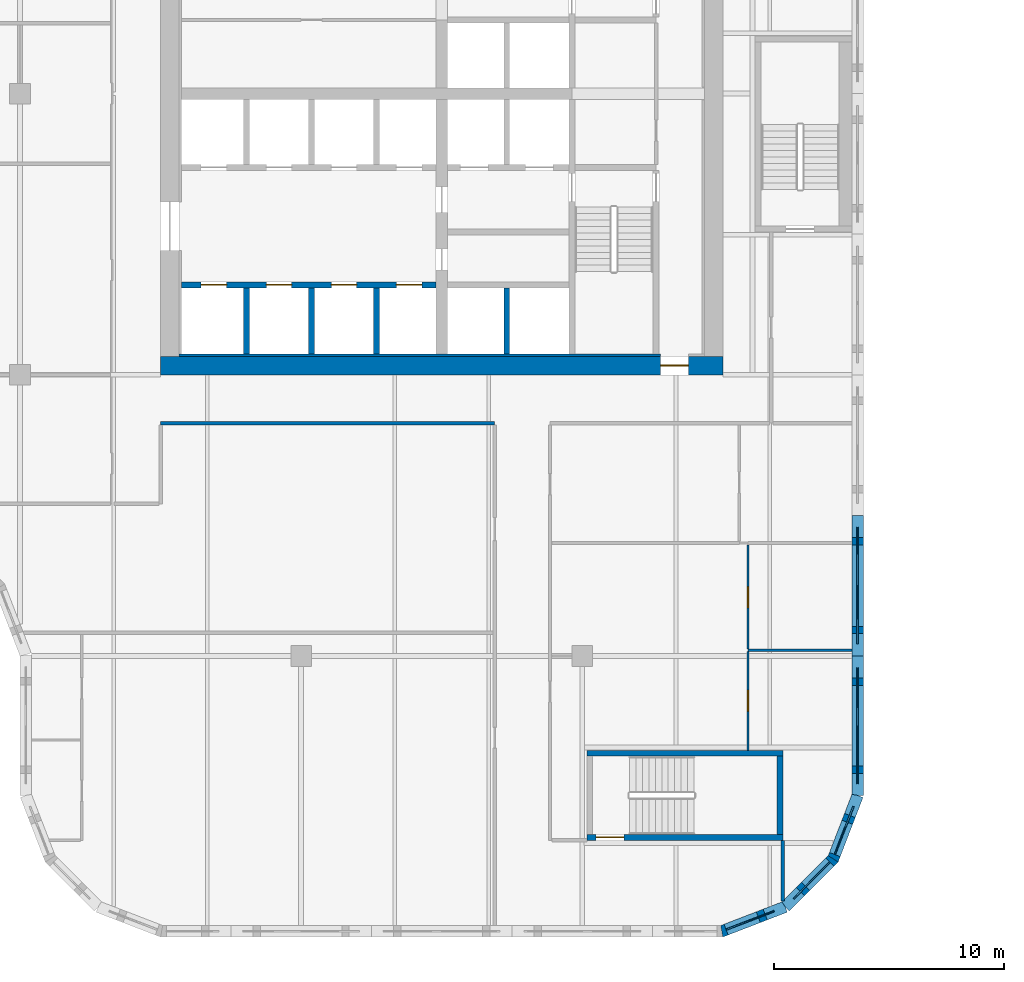
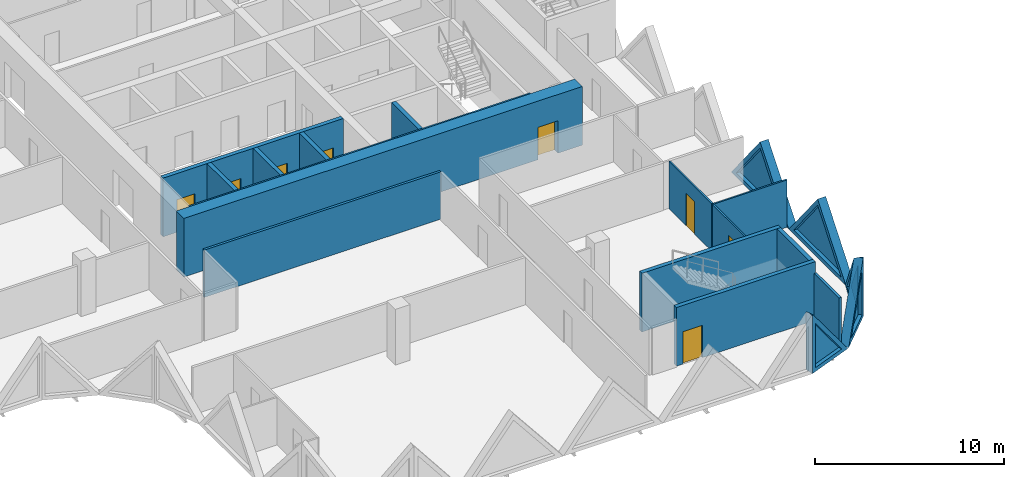
# One storey, part 6 of 19: 20 walls, 8 doors, 5 plates, 13 openings.
"""IFC4 building model written with IfcOpenShell, lengths in metres."""

from ifc_helpers import new_model, si_unit, direction, frame, frame_2d, origin, place, context, subcontext, project, spatial, polyline, rectangle, outline, extrude, faceted_brep, source, transform, mapped, material, layer, layer_set, type_object, element, fill, save


model = new_model("IFC4")

# Units and contexts
model_context = context("Model", 3, precision=1e-05, world=origin(), true_north=direction((0.0, 1.0)))
body_context = subcontext(model_context, "Body", "Model", "MODEL_VIEW")
ifc_project = project(units=[si_unit("LENGTHUNIT", "METRE"), si_unit("AREAUNIT", "SQUARE_METRE"), si_unit("VOLUMEUNIT", "CUBIC_METRE"), si_unit("PLANEANGLEUNIT", "RADIAN"), si_unit("MASSUNIT", "GRAM", prefix="KILO")], contexts=[model_context])

# Site, building, storey
site_placement = place(None, origin())
site = spatial("IfcSite", under=ifc_project, at=site_placement, CompositionType="ELEMENT")
building_placement = place(site_placement, origin())
building = spatial("IfcBuilding", under=site, at=building_placement, Name="Tessera Gate Towers", CompositionType="ELEMENT")
storey_placement = place(building_placement, frame((0.0, 0.0, 68.60009765625)))
storey = spatial("IfcBuildingStorey", under=building, at=storey_placement, Name="L16", CompositionType="ELEMENT", Elevation=68.60009765625)

# Wall, openings, doors
ifc_material_1 = material(Name="Concrete C40/50", Category="concrete")
ifc_layer_1 = layer(ifc_material_1, 0.25)
ifc_layer_set_1 = layer_set([ifc_layer_1], Name="CORE ENCLOSURE WALL 250")
wall_type_1 = type_object("IfcWallType", Name="CORE ENCLOSURE WALL 250", PredefinedType="SOLIDWALL", material=ifc_layer_set_1)
wall_1_placement = place(storey_placement, frame((31.39990234375, 28.300048828125, 0.0), z_axis=(0.0, 0.0, 1.0), x_axis=(1.0, 0.0, 0.0)))
wall_1 = element("IfcWall", 1, at=wall_1_placement, inside=storey, type_object=wall_type_1, Name="L16 shaft and stair enclosure wall", PredefinedType="SOLIDWALL", context=body_context, shape_type="SweptSolid", body=[
    extrude(rectangle(XDim=11.050048828125, YDim=0.25, at=frame_2d((5.52490234375, 0.0))), origin(), (0.0, 0.0, 1.0), 3.7998046875),
])
shared_shape_1 = source(origin(), body_context, "Body", "SweptSolid", [
    extrude(rectangle(XDim=1.10009765625, YDim=2.10009765625, at=frame_2d((0.550048828125, 1.050048828125))), frame((0.0, 0.135009765625, 0.0), z_axis=(0.0, -1.0, 0.0), x_axis=(1.0, 0.0, 0.0)), (0.0, 0.0, 1.0), 0.27001953125),
])
opening_1_placement = place(wall_1_placement, frame((0.862548828125, 0.0, 0.0)))
opening_1 = element("IfcOpeningElement", 2, at=opening_1_placement, cuts=wall_1, Name="Opening LD-LR1", PredefinedType="OPENING", context=body_context, shape_type="MappedRepresentation", body=[
    mapped(shared_shape_1, transform((0.0, 0.0, 0.0), scale=1.0)),
])
opening_2_placement = place(wall_1_placement, frame((3.6875, 0.0, 0.0)))
opening_2 = element("IfcOpeningElement", 3, at=opening_2_placement, cuts=wall_1, Name="Opening LD-LR2", PredefinedType="OPENING", context=body_context, shape_type="MappedRepresentation", body=[
    mapped(shared_shape_1, transform((0.0, 0.0, 0.0), scale=1.0)),
])
opening_3_placement = place(wall_1_placement, frame((6.512451171875, 0.0, 0.0)))
opening_3 = element("IfcOpeningElement", 4, at=opening_3_placement, cuts=wall_1, Name="Opening LD-LR3", PredefinedType="OPENING", context=body_context, shape_type="MappedRepresentation", body=[
    mapped(shared_shape_1, transform((0.0, 0.0, 0.0), scale=1.0)),
])
opening_4_placement = place(wall_1_placement, frame((9.33740234375, 0.0, 0.0)))
opening_4 = element("IfcOpeningElement", 5, at=opening_4_placement, cuts=wall_1, Name="Opening LD-LR4", PredefinedType="OPENING", context=body_context, shape_type="MappedRepresentation", body=[
    mapped(shared_shape_1, transform((0.0, 0.0, 0.0), scale=1.0)),
])
ifc_material_2 = material(Name="Stainless steel", Category="steel")
door_type_1 = type_object("IfcDoorType", Name="CORE DOOR LD 1100x2100", OperationType="DOUBLE_DOOR_SLIDING", PredefinedType="DOOR", material=ifc_material_2)
shared_shape_2 = source(origin(), body_context, "Body", "SweptSolid", [
    extrude(rectangle(XDim=1.10009765625, YDim=2.10009765625, at=frame_2d((0.550048828125, 1.050048828125))), frame((0.0, 0.02490234375, 0.0), z_axis=(0.0, -1.0, 0.0), x_axis=(1.0, 0.0, 0.0)), (0.0, 0.0, 1.0), 0.050048828125),
])
door_1_placement = place(opening_1_placement, origin())
door_1 = element("IfcDoor", 6, at=door_1_placement, inside=storey, type_object=door_type_1, Name="Landing door LR1 L16", OperationType="DOUBLE_DOOR_SLIDING", OverallHeight=2.10009765625, OverallWidth=1.10009765625, PredefinedType="DOOR", context=body_context, shape_type="MappedRepresentation", body=[
    mapped(shared_shape_2, transform((0.0, 0.0, 0.0), scale=1.0)),
])
fill(opening_1, door_1)
door_2_placement = place(opening_2_placement, origin())
door_2 = element("IfcDoor", 7, at=door_2_placement, inside=storey, type_object=door_type_1, Name="Landing door LR2 L16", OperationType="DOUBLE_DOOR_SLIDING", OverallHeight=2.10009765625, OverallWidth=1.10009765625, PredefinedType="DOOR", context=body_context, shape_type="MappedRepresentation", body=[
    mapped(shared_shape_2, transform((0.0, 0.0, 0.0), scale=1.0)),
])
fill(opening_2, door_2)
door_3_placement = place(opening_3_placement, origin())
door_3 = element("IfcDoor", 8, at=door_3_placement, inside=storey, type_object=door_type_1, Name="Landing door LR3 L16", OperationType="DOUBLE_DOOR_SLIDING", OverallHeight=2.10009765625, OverallWidth=1.10009765625, PredefinedType="DOOR", context=body_context, shape_type="MappedRepresentation", body=[
    mapped(shared_shape_2, transform((0.0, 0.0, 0.0), scale=1.0)),
])
fill(opening_3, door_3)
door_4_placement = place(opening_4_placement, origin())
door_4 = element("IfcDoor", 9, at=door_4_placement, inside=storey, type_object=door_type_1, Name="Landing door LR4 L16", OperationType="DOUBLE_DOOR_SLIDING", OverallHeight=2.10009765625, OverallWidth=1.10009765625, PredefinedType="DOOR", context=body_context, shape_type="MappedRepresentation", body=[
    mapped(shared_shape_2, transform((0.0, 0.0, 0.0), scale=1.0)),
])
fill(opening_4, door_4)

# Walls
for number, where, z_axis, x_axis, name in (
    (10, (34.22509765625, 25.300048828125, 0.0), (0.0, 0.0, 1.0), (0.0, 1.0, 0.0), "L16 shaft and stair enclosure wall"),
    (11, (37.050048828125, 25.300048828125, 0.0), (0.0, 0.0, 1.0), (0.0, 1.0, 0.0), "L16 shaft and stair enclosure wall"),
    (12, (39.875, 25.300048828125, 0.0), (0.0, 0.0, 1.0), (0.0, 1.0, 0.0), "L16 shaft and stair enclosure wall"),
    (13, (45.52490234375, 25.300048828125, 0.0), (0.0, 0.0, 1.0), (0.0, 1.0, 0.0), "L16 shaft and stair enclosure wall"),
):
    element("IfcWall", number, at=place(storey_placement, frame(where, z_axis=z_axis, x_axis=x_axis)), inside=storey, type_object=wall_type_1, Name=name, PredefinedType="SOLIDWALL", context=body_context, shape_type="SweptSolid", body=[
        extrude(rectangle(XDim=2.875, YDim=0.25, at=frame_2d((1.4375, 0.0))), origin(), (0.0, 0.0, 1.0), 3.7998046875),
    ])

# Wall, opening, door
wall_2_placement = place(storey_placement, frame((57.5, 4.324951171875, 0.0), z_axis=(0.0, 0.0, 1.0), x_axis=(-1.0, 0.0, 0.0)))
wall_2 = element("IfcWall", 14, at=wall_2_placement, inside=storey, type_object=wall_type_1, Name="L16 ST4 enclosure wall", PredefinedType="SOLIDWALL", context=body_context, shape_type="SweptSolid", body=[
    extrude(rectangle(XDim=8.5, YDim=0.25, at=frame_2d((4.25, 0.0))), origin(), (0.0, 0.0, 1.0), 3.7998046875),
])
shared_shape_3 = source(origin(), body_context, "Body", "SweptSolid", [
    extrude(rectangle(XDim=1.199951171875, YDim=2.10009765625, at=frame_2d((0.60009765625, 1.050048828125))), frame((0.0, 0.135009765625, 0.0), z_axis=(0.0, -1.0, 0.0), x_axis=(1.0, 0.0, 0.0)), (0.0, 0.0, 1.0), 0.27001953125),
])
opening_5_placement = place(wall_2_placement, frame((6.89990234375, 0.0, 0.0)))
opening_5 = element("IfcOpeningElement", 15, at=opening_5_placement, cuts=wall_2, Name="Opening SD-ST4-1", PredefinedType="OPENING", context=body_context, shape_type="MappedRepresentation", body=[
    mapped(shared_shape_3, transform((0.0, 0.0, 0.0), scale=1.0)),
])
ifc_material_3 = material(Name="Hollow steel fire door", Category="steel")
door_type_2 = type_object("IfcDoorType", Name="CORE DOOR SD 1200x2100", OperationType="NOTDEFINED", PredefinedType="DOOR", material=ifc_material_3)
shared_shape_4 = source(origin(), body_context, "Body", "SweptSolid", [
    extrude(rectangle(XDim=1.199951171875, YDim=2.10009765625, at=frame_2d((0.60009765625, 1.050048828125))), frame((0.0, 0.02490234375, 0.0), z_axis=(0.0, -1.0, 0.0), x_axis=(1.0, 0.0, 0.0)), (0.0, 0.0, 1.0), 0.050048828125),
])
door_5_placement = place(opening_5_placement, origin())
door_5 = element("IfcDoor", 16, at=door_5_placement, inside=storey, type_object=door_type_2, Name="Stair door", OperationType="SINGLE_SWING_RIGHT", OverallHeight=2.10009765625, OverallWidth=1.199951171875, PredefinedType="DOOR", context=body_context, shape_type="MappedRepresentation", body=[
    mapped(shared_shape_4, transform((0.0, 0.0, 0.0), scale=1.0)),
])
fill(opening_5, door_5)

# Walls
wall_3_placement = place(storey_placement, frame((49.0, 7.97509765625, 0.0), z_axis=(0.0, 0.0, 1.0), x_axis=(1.0, 0.0, 0.0)))
element("IfcWall", 17, at=wall_3_placement, inside=storey, type_object=wall_type_1, Name="L16 ST4 enclosure wall", PredefinedType="SOLIDWALL", context=body_context, shape_type="SweptSolid", body=[
    extrude(rectangle(XDim=8.5, YDim=0.25, at=frame_2d((4.25, 0.0))), origin(), (0.0, 0.0, 1.0), 3.7998046875),
])
wall_4_placement = place(storey_placement, frame((57.375, 7.85009765625, 0.0), z_axis=(0.0, 0.0, 1.0), x_axis=(0.0, -1.0, 0.0)))
element("IfcWall", 18, at=wall_4_placement, inside=storey, type_object=wall_type_1, Name="L16 ST4 enclosure wall", PredefinedType="SOLIDWALL", context=body_context, shape_type="SweptSolid", body=[
    extrude(rectangle(XDim=3.400146484375, YDim=0.25, at=frame_2d((1.7001953125, 0.0))), origin(), (0.0, 0.0, 1.0), 3.7998046875),
])

# Wall, opening, door
ifc_material_4 = material(Name="Concrete C60/75", Category="concrete")
ifc_layer_2 = layer(ifc_material_4, 0.800048828125)
ifc_layer_set_2 = layer_set([ifc_layer_2], Name="CORE SHEAR WALL 800 C60/75")
wall_type_2 = type_object("IfcWallType", Name="CORE SHEAR WALL 800 C60/75", PredefinedType="SHEAR", material=ifc_layer_set_2)
wall_5_placement = place(storey_placement, frame((54.89990234375, 24.800048828125, 0.0), z_axis=(0.0, 0.0, 1.0), x_axis=(-1.0, 0.0, 0.0)))
wall_5 = element("IfcWall", 19, at=wall_5_placement, inside=storey, type_object=wall_type_2, Name="Core wall S L16", PredefinedType="SHEAR", context=body_context, shape_type="SweptSolid", body=[
    extrude(rectangle(XDim=24.39990234375, YDim=0.800048828125, at=frame_2d((12.199951171875, 0.0))), origin(), (0.0, 0.0, 1.0), 3.7998046875),
])
shared_shape_5 = source(origin(), body_context, "Body", "SweptSolid", [
    extrude(rectangle(XDim=1.199951171875, YDim=2.10009765625, at=frame_2d((0.60009765625, 1.050048828125))), frame((0.0, 0.409912109375, 0.0), z_axis=(0.0, -1.0, 0.0), x_axis=(1.0, 0.0, 0.0)), (0.0, 0.0, 1.0), 0.820068359375),
])
opening_6_placement = place(wall_5_placement, frame((1.5, 0.0, 0.0)))
opening_6 = element("IfcOpeningElement", 20, at=opening_6_placement, cuts=wall_5, Name="Opening ED-T1-12-01", PredefinedType="OPENING", context=body_context, shape_type="MappedRepresentation", body=[
    mapped(shared_shape_5, transform((0.0, 0.0, 0.0), scale=1.0)),
])
ifc_material_5 = material(Name="Hollow steel fire door", Category="steel")
door_type_3 = type_object("IfcDoorType", Name="CORE DOOR ED 1200x2100", OperationType="NOTDEFINED", PredefinedType="DOOR", material=ifc_material_5)
door_6_placement = place(opening_6_placement, origin())
door_6 = element("IfcDoor", 21, at=door_6_placement, inside=storey, type_object=door_type_3, Name="Core exit door", OperationType="SINGLE_SWING_LEFT", OverallHeight=2.10009765625, OverallWidth=1.199951171875, PredefinedType="DOOR", context=body_context, shape_type="MappedRepresentation", body=[
    mapped(shared_shape_4, transform((0.0, 0.0, 0.0), scale=1.0)),
])
fill(opening_6, door_6)

# Walls
ifc_material_6 = material(Name="Concrete C60/75", Category="concrete")
ifc_layer_3 = layer(ifc_material_6, 0.10009765625)
ifc_layer_set_3 = layer_set([ifc_layer_3], Name="CORE WALL THICKENING 100")
wall_type_3 = type_object("IfcWallType", Name="CORE WALL THICKENING 100", PredefinedType="SOLIDWALL", material=ifc_layer_set_3)
wall_6_placement = place(storey_placement, frame((31.300048828125, 25.25, 0.0), z_axis=(0.0, 0.0, 1.0), x_axis=(1.0, 0.0, 0.0)))
element("IfcWall", 22, at=wall_6_placement, inside=storey, type_object=wall_type_3, Name="Core wall thickening S L16", PredefinedType="SOLIDWALL", context=body_context, shape_type="SweptSolid", body=[
    extrude(rectangle(XDim=20.89990234375, YDim=0.10009765625, at=frame_2d((10.449951171875, 0.0))), origin(), (0.0, 0.0, 1.0), 3.7998046875),
])
ifc_material_7 = material(Name="Gypsum board on steel studs, mineral wool", Category="steel")
ifc_layer_4 = layer(ifc_material_7, 0.14990234375)
ifc_layer_set_4 = layer_set([ifc_layer_4], Name="CORRIDOR WALL 150")
wall_type_4 = type_object("IfcWallType", Name="CORRIDOR WALL 150", PredefinedType="PARTITIONING", material=ifc_layer_set_4)
wall_7_placement = place(storey_placement, frame((57.5, 1.55908203125, 0.0), z_axis=(0.0, 0.0, 1.0), x_axis=(0.0, 1.0, 0.0)))
element("IfcWall", 23, at=wall_7_placement, inside=storey, type_object=wall_type_4, Name="T1-L16-PW-002", PredefinedType="PARTITIONING", context=body_context, shape_type="SweptSolid", body=[
    extrude(rectangle(XDim=2.640869140625, YDim=0.14990234375, at=frame_2d((1.3203125, 0.0))), origin(), (0.0, 0.0, 1.0), 3.06689453125),
])
wall_8_placement = place(storey_placement, frame((30.5, 22.300048828125, 0.0), z_axis=(0.0, 0.0, 1.0), x_axis=(1.0, 0.0, 0.0)))
element("IfcWall", 24, at=wall_8_placement, inside=storey, type_object=wall_type_4, Name="T1-L16-PW-022", PredefinedType="PARTITIONING", context=body_context, shape_type="SweptSolid", body=[
    extrude(rectangle(XDim=14.5, YDim=0.14990234375, at=frame_2d((7.25, 0.0))), origin(), (0.0, 0.0, 1.0), 3.06689453125),
])

# Wall, opening, door
ifc_material_8 = material(Name="Glass", Category="glass")
ifc_layer_5 = layer(ifc_material_8, 0.10009765625)
ifc_layer_set_5 = layer_set([ifc_layer_5], Name="GLAZED PARTITION 100")
wall_type_5 = type_object("IfcWallType", Name="GLAZED PARTITION 100", PredefinedType="PARTITIONING", material=ifc_layer_set_5)
wall_9_placement = place(storey_placement, frame((55.989990234375, 12.396728515625, 0.0), z_axis=(0.0, 0.0, 1.0), x_axis=(0.0, -1.0, 0.0)))
wall_9 = element("IfcWall", 25, at=wall_9_placement, inside=storey, type_object=wall_type_5, Name="T1-L16-PW-007", PredefinedType="PARTITIONING", context=body_context, shape_type="SweptSolid", body=[
    extrude(rectangle(XDim=4.296630859375, YDim=0.10009765625, at=frame_2d((2.1484375, 0.0))), origin(), (0.0, 0.0, 1.0), 3.06689453125),
])
shared_shape_6 = source(origin(), body_context, "Body", "SweptSolid", [
    extrude(rectangle(XDim=0.89990234375, YDim=2.10009765625, at=frame_2d((0.449951171875, 1.050048828125))), frame((0.0, 0.06005859375, 0.0), z_axis=(0.0, -1.0, 0.0), x_axis=(1.0, 0.0, 0.0)), (0.0, 0.0, 1.0), 0.1201171875),
])
opening_7_placement = place(wall_9_placement, frame((1.69677734375, 0.0, 0.0)))
opening_7 = element("IfcOpeningElement", 26, at=opening_7_placement, cuts=wall_9, Name="Opening D690-A06-01", PredefinedType="OPENING", context=body_context, shape_type="MappedRepresentation", body=[
    mapped(shared_shape_6, transform((0.0, 0.0, 0.0), scale=1.0)),
])
ifc_material_9 = material(Name="Glass in aluminium frame", Category="aluminium")
door_type_4 = type_object("IfcDoorType", Name="GLAZED DOOR 900 NOT RATED", OperationType="NOTDEFINED", PredefinedType="DOOR", material=ifc_material_9)
shared_shape_7 = source(origin(), body_context, "Body", "SweptSolid", [
    extrude(rectangle(XDim=0.89990234375, YDim=2.10009765625, at=frame_2d((0.449951171875, 1.050048828125))), frame((0.0, 0.02490234375, 0.0), z_axis=(0.0, -1.0, 0.0), x_axis=(1.0, 0.0, 0.0)), (0.0, 0.0, 1.0), 0.050048828125),
])
door_7_placement = place(opening_7_placement, origin())
door_7 = element("IfcDoor", 27, at=door_7_placement, inside=storey, type_object=door_type_4, Name="T1-L16-PD-004", OperationType="SINGLE_SWING_RIGHT", OverallHeight=2.10009765625, OverallWidth=0.89990234375, PredefinedType="DOOR", context=body_context, shape_type="MappedRepresentation", body=[
    mapped(shared_shape_7, transform((0.0, 0.0, 0.0), scale=1.0)),
])
fill(opening_7, door_7)

wall_10_placement = place(storey_placement, frame((55.989990234375, 17.02392578125, 0.0), z_axis=(0.0, 0.0, 1.0), x_axis=(0.0, -1.0, 0.0)))
wall_10 = element("IfcWall", 28, at=wall_10_placement, inside=storey, type_object=wall_type_5, Name="T1-L16-PW-011", PredefinedType="PARTITIONING", context=body_context, shape_type="SweptSolid", body=[
    extrude(rectangle(XDim=4.525146484375, YDim=0.10009765625, at=frame_2d((2.2626953125, 0.0))), origin(), (0.0, 0.0, 1.0), 3.06689453125),
])
opening_8_placement = place(wall_10_placement, frame((1.8251953125, 0.0, 0.0)))
opening_8 = element("IfcOpeningElement", 29, at=opening_8_placement, cuts=wall_10, Name="Opening D690-A06-02", PredefinedType="OPENING", context=body_context, shape_type="MappedRepresentation", body=[
    mapped(shared_shape_6, transform((0.0, 0.0, 0.0), scale=1.0)),
])
door_8_placement = place(opening_8_placement, origin())
door_8 = element("IfcDoor", 30, at=door_8_placement, inside=storey, type_object=door_type_4, Name="T1-L16-PD-006", OperationType="SINGLE_SWING_RIGHT", OverallHeight=2.10009765625, OverallWidth=0.89990234375, PredefinedType="DOOR", context=body_context, shape_type="MappedRepresentation", body=[
    mapped(shared_shape_7, transform((0.0, 0.0, 0.0), scale=1.0)),
])
fill(opening_8, door_8)

# Wall
ifc_material_10 = material(Name="Gypsum board on steel studs", Category="steel")
ifc_layer_6 = layer(ifc_material_10, 0.10009765625)
ifc_layer_set_6 = layer_set([ifc_layer_6], Name="PARTITION 100")
wall_type_6 = type_object("IfcWallType", Name="PARTITION 100", PredefinedType="PARTITIONING", material=ifc_layer_set_6)
wall_11_placement = place(storey_placement, frame((55.989990234375, 12.447998046875, 0.0), z_axis=(0.0, 0.0, 1.0), x_axis=(1.0, 0.0, 0.0)))
element("IfcWall", 31, at=wall_11_placement, inside=storey, type_object=wall_type_6, Name="T1-L16-PW-010", PredefinedType="PARTITIONING", context=body_context, shape_type="SweptSolid", body=[
    extrude(rectangle(XDim=4.510009765625, YDim=0.10009765625, at=frame_2d((2.2548828125, 0.0))), origin(), (0.0, 0.0, 1.0), 3.06689453125),
])

# Wall, opening, plate
ifc_material_11 = material(Name="Precast concrete C60/75 white", Category="concrete")
ifc_layer_7 = layer(ifc_material_11, 0.5)
ifc_layer_set_7 = layer_set([ifc_layer_7], Name="TS2 half tessera")
wall_type_7 = type_object("IfcWallType", Name="TS2 half tessera", PredefinedType="SOLIDWALL", material=ifc_layer_set_7)
shared_shape_8 = source(origin(), body_context, "Body", "SweptSolid", [
    extrude(outline(polyline([(6.10009765625, 0.0), (3.050048828125, 3.7998046875), (0.0, 0.0), (6.10009765625, 0.0)])), frame((0.0, 0.25, 0.0), z_axis=(0.0, -1.0, 0.0), x_axis=(1.0, 0.0, 0.0)), (0.0, 0.0, 1.0), 0.5),
])
wall_12_placement = place(storey_placement, frame((60.75, 12.199951171875, 0.0), z_axis=(0.0, 0.0, 1.0), x_axis=(0.0, 1.0, 0.0)))
wall_12 = element("IfcWall", 32, at=wall_12_placement, inside=storey, type_object=wall_type_7, Name="Precast half tessera T1 TS2-0096", PredefinedType="SOLIDWALL", context=body_context, shape_type="MappedRepresentation", body=[
    mapped(shared_shape_8, transform((0.0, 0.0, 0.0), scale=1.0)),
])
shared_shape_9 = source(origin(), body_context, "Body", "SweptSolid", [
    extrude(outline(polyline([(5.578857421875, 0.25), (3.050048828125, 3.400390625), (0.521240234375, 0.25), (5.578857421875, 0.25)])), frame((0.0, 0.260009765625, 0.0), z_axis=(0.0, -1.0, 0.0), x_axis=(1.0, 0.0, 0.0)), (0.0, 0.0, 1.0), 0.52001953125),
])
opening_9_placement = place(wall_12_placement, origin())
opening_9 = element("IfcOpeningElement", 33, at=opening_9_placement, cuts=wall_12, Name="Opening T1-PL1-0198", PredefinedType="OPENING", context=body_context, shape_type="MappedRepresentation", body=[
    mapped(shared_shape_9, transform((0.0, 0.0, 0.0), scale=1.0)),
])
ifc_material_12 = material(Name="Low-e laminated glass", Category="glass")
ifc_layer_8 = layer(ifc_material_12, 0.06005859375)
ifc_layer_set_8 = layer_set([ifc_layer_8], Name="PL1 triangular pane")
plate_type = type_object("IfcPlateType", Name="PL1 triangular pane", PredefinedType="SHEET", material=ifc_layer_set_8)
shared_shape_10 = source(origin(), body_context, "Body", "SweptSolid", [
    extrude(outline(polyline([(5.578857421875, 0.25), (3.050048828125, 3.400390625), (0.521240234375, 0.25), (5.578857421875, 0.25)])), frame((0.0, 0.030029296875, 0.0), z_axis=(0.0, -1.0, 0.0), x_axis=(1.0, 0.0, 0.0)), (0.0, 0.0, 1.0), 0.06005859375),
])
plate_1_placement = place(opening_9_placement, origin())
plate_1 = element("IfcPlate", 34, at=plate_1_placement, inside=storey, type_object=plate_type, Name="Glass pane T1 PL1-0198", PredefinedType="SHEET", context=body_context, shape_type="MappedRepresentation", body=[
    mapped(shared_shape_10, transform((0.0, 0.0, 0.0), scale=1.0)),
])
fill(opening_9, plate_1)

ifc_material_13 = material(Name="Precast concrete C60/75 white", Category="concrete")
ifc_layer_9 = layer(ifc_material_13, 0.5)
ifc_layer_set_9 = layer_set([ifc_layer_9], Name="TS3 corner tessera")
wall_type_8 = type_object("IfcWallType", Name="TS3 corner tessera", PredefinedType="SOLIDWALL", material=ifc_layer_set_9)
shared_shape_11 = source(origin(), body_context, "Body", "Brep", [
    faceted_brep([(2.9970703125, -0.25, 0.0), (0.046630859375, -0.25, 3.7998046875), (0.0, -0.25, 3.740966796875), (0.0, -0.25, 0.0), (0.09326171875, 0.25, 3.73974609375), (2.9443359375, 0.25, 0.068115234375), (2.9443359375, 0.25, 0.0), (0.09326171875, 0.25, 0.0), (0.046630859375, 0.0, 3.7998046875), (2.9970703125, 0.00048828125, 0.0)], [[[0, 1, 2, 3]], [[4, 5, 6, 7]], [[5, 4, 8, 1, 0, 9]], [[2, 1, 8]], [[7, 6, 9, 0, 3]], [[7, 3, 2, 8, 4]], [[9, 6, 5]]]),
])
wall_13_placement = place(storey_placement, frame((54.81005859375, 0.233154296875, 0.0), z_axis=(0.0, 0.0, 1.0), x_axis=(0.932990326376, 0.359901446078, 0.0)))
wall_13 = element("IfcWall", 35, at=wall_13_placement, inside=storey, type_object=wall_type_8, Name="Precast corner tessera T1 TS3-0340", PredefinedType="SOLIDWALL", context=body_context, shape_type="MappedRepresentation", body=[
    mapped(shared_shape_11, transform((0.0, 0.0, 0.0), scale=1.0)),
])
shared_shape_12 = source(origin(), body_context, "Body", "SweptSolid", [
    extrude(outline(polyline([(2.486572265625, 0.25), (0.24658203125, 3.134765625), (0.24658203125, 0.25), (2.486572265625, 0.25)])), frame((0.0, 0.260009765625, 0.0), z_axis=(0.0, -1.0, 0.0), x_axis=(1.0, 0.0, 0.0)), (0.0, 0.0, 1.0), 0.52001953125),
])
opening_10_placement = place(wall_13_placement, origin())
opening_10 = element("IfcOpeningElement", 36, at=opening_10_placement, cuts=wall_13, Name="Opening T1-PL1-0194", PredefinedType="OPENING", context=body_context, shape_type="MappedRepresentation", body=[
    mapped(shared_shape_12, transform((0.0, 0.0, 0.0), scale=1.0)),
])
shared_shape_13 = source(origin(), body_context, "Body", "SweptSolid", [
    extrude(outline(polyline([(2.486572265625, 0.25), (0.24658203125, 3.134765625), (0.24658203125, 0.25), (2.486572265625, 0.25)])), frame((0.0, 0.030029296875, 0.0), z_axis=(0.0, -1.0, 0.0), x_axis=(1.0, 0.0, 0.0)), (0.0, 0.0, 1.0), 0.06005859375),
])
plate_2_placement = place(opening_10_placement, origin())
plate_2 = element("IfcPlate", 37, at=plate_2_placement, inside=storey, type_object=plate_type, Name="Glass pane T1 PL1-0194", PredefinedType="SHEET", context=body_context, shape_type="MappedRepresentation", body=[
    mapped(shared_shape_13, transform((0.0, 0.0, 0.0), scale=1.0)),
])
fill(opening_10, plate_2)

shared_shape_14 = source(origin(), body_context, "Body", "Brep", [
    faceted_brep([(2.9970703125, -0.25, 3.731689453125), (2.944091796875, -0.25, 3.7998046875), (0.0, -0.25, 0.0), (2.9970703125, -0.25, 0.0), (0.052978515625, 0.25, 0.068359375), (2.89111328125, 0.25, 3.731689453125), (2.89111328125, 0.25, 0.0), (0.052978515625, 0.25, 0.0), (2.944091796875, 0.000244140625, 3.7998046875), (0.0, 0.0, 0.0)], [[[0, 1, 2, 3]], [[4, 5, 6, 7]], [[8, 1, 0]], [[5, 4, 9, 2, 1, 8]], [[7, 6, 3, 2, 9]], [[7, 9, 4]], [[3, 6, 5, 8, 0]]]),
])
wall_14_placement = place(storey_placement, frame((57.606201171875, 1.31201171875, 0.0), z_axis=(0.0, 0.0, 1.0), x_axis=(0.707147509625, 0.707066050402, 0.0)))
wall_14 = element("IfcWall", 38, at=wall_14_placement, inside=storey, type_object=wall_type_8, Name="Precast corner tessera T1 TS3-0341", PredefinedType="SOLIDWALL", context=body_context, shape_type="MappedRepresentation", body=[
    mapped(shared_shape_14, transform((0.0, 0.0, 0.0), scale=1.0)),
])
shared_shape_15 = source(origin(), body_context, "Body", "SweptSolid", [
    extrude(outline(polyline([(2.744140625, 3.133544921875), (0.510009765625, 0.25), (2.744140625, 0.25), (2.744140625, 3.133544921875)])), frame((0.0, 0.260009765625, 0.0), z_axis=(0.0, -1.0, 0.0), x_axis=(1.0, 0.0, 0.0)), (0.0, 0.0, 1.0), 0.52001953125),
])
opening_11_placement = place(wall_14_placement, origin())
opening_11 = element("IfcOpeningElement", 39, at=opening_11_placement, cuts=wall_14, Name="Opening T1-PL1-0195", PredefinedType="OPENING", context=body_context, shape_type="MappedRepresentation", body=[
    mapped(shared_shape_15, transform((0.0, 0.0, 0.0), scale=1.0)),
])
shared_shape_16 = source(origin(), body_context, "Body", "SweptSolid", [
    extrude(outline(polyline([(2.744140625, 3.133544921875), (0.510009765625, 0.25), (2.744140625, 0.25), (2.744140625, 3.133544921875)])), frame((0.0, 0.030029296875, 0.0), z_axis=(0.0, -1.0, 0.0), x_axis=(1.0, 0.0, 0.0)), (0.0, 0.0, 1.0), 0.06005859375),
])
plate_3_placement = place(opening_11_placement, origin())
plate_3 = element("IfcPlate", 40, at=plate_3_placement, inside=storey, type_object=plate_type, Name="Glass pane T1 PL1-0195", PredefinedType="SHEET", context=body_context, shape_type="MappedRepresentation", body=[
    mapped(shared_shape_16, transform((0.0, 0.0, 0.0), scale=1.0)),
])
fill(opening_11, plate_3)

shared_shape_17 = source(origin(), body_context, "Body", "Brep", [
    faceted_brep([(3.00341796875, -0.25, 0.0), (0.052978515625, -0.25, 3.7998046875), (0.0, -0.25, 3.7314453125), (0.0, -0.25, 0.0), (0.10595703125, 0.25, 3.731689453125), (2.95703125, 0.25, 0.059814453125), (2.95703125, 0.25, 0.0), (0.10595703125, 0.25, 0.0), (0.052978515625, 0.0, 3.7998046875), (3.00341796875, 0.00048828125, 0.0)], [[[0, 1, 2, 3]], [[4, 5, 6, 7]], [[5, 4, 8, 1, 0, 9]], [[2, 1, 8]], [[7, 6, 9, 0, 3]], [[7, 3, 2, 8, 4]], [[9, 6, 5]]]),
])
wall_15_placement = place(storey_placement, frame((59.6689453125, 3.34423828125, 0.0), z_axis=(0.0, 0.0, 1.0), x_axis=(0.35992665181, 0.932980602862, 0.0)))
wall_15 = element("IfcWall", 41, at=wall_15_placement, inside=storey, type_object=wall_type_8, Name="Precast corner tessera T1 TS3-0342", PredefinedType="SOLIDWALL", context=body_context, shape_type="MappedRepresentation", body=[
    mapped(shared_shape_17, transform((0.0, 0.0, 0.0), scale=1.0)),
])
shared_shape_18 = source(origin(), body_context, "Body", "SweptSolid", [
    extrude(outline(polyline([(2.492919921875, 0.25), (0.2529296875, 3.134765625), (0.2529296875, 0.25), (2.492919921875, 0.25)])), frame((0.0, 0.260009765625, 0.0), z_axis=(0.0, -1.0, 0.0), x_axis=(1.0, 0.0, 0.0)), (0.0, 0.0, 1.0), 0.52001953125),
])
opening_12_placement = place(wall_15_placement, origin())
opening_12 = element("IfcOpeningElement", 42, at=opening_12_placement, cuts=wall_15, Name="Opening T1-PL1-0196", PredefinedType="OPENING", context=body_context, shape_type="MappedRepresentation", body=[
    mapped(shared_shape_18, transform((0.0, 0.0, 0.0), scale=1.0)),
])
shared_shape_19 = source(origin(), body_context, "Body", "SweptSolid", [
    extrude(outline(polyline([(2.492919921875, 0.25), (0.2529296875, 3.134765625), (0.2529296875, 0.25), (2.492919921875, 0.25)])), frame((0.0, 0.030029296875, 0.0), z_axis=(0.0, -1.0, 0.0), x_axis=(1.0, 0.0, 0.0)), (0.0, 0.0, 1.0), 0.06005859375),
])
plate_4_placement = place(opening_12_placement, origin())
plate_4 = element("IfcPlate", 43, at=plate_4_placement, inside=storey, type_object=plate_type, Name="Glass pane T1 PL1-0196", PredefinedType="SHEET", context=body_context, shape_type="MappedRepresentation", body=[
    mapped(shared_shape_19, transform((0.0, 0.0, 0.0), scale=1.0)),
])
fill(opening_12, plate_4)

shared_shape_20 = source(origin(), body_context, "Body", "Brep", [
    faceted_brep([(6.053466796875, -0.25, 0.0), (3.00341796875, -0.25, 3.7998046875), (0.0, -0.25, 0.0), (0.046630859375, 0.25, 0.058837890625), (3.00341796875, 0.25, 3.7998046875), (6.053466796875, 0.25, 0.0), (0.046630859375, 0.25, 0.0), (0.0, 0.0, 0.0)], [[[0, 1, 2]], [[3, 4, 5, 6]], [[5, 4, 1, 0]], [[4, 3, 7, 2, 1]], [[6, 5, 0, 2, 7]], [[6, 7, 3]]]),
])
wall_16_placement = place(storey_placement, frame((60.75, 6.146484375, 0.0), z_axis=(0.0, 0.0, 1.0), x_axis=(0.0, 1.0, 0.0)))
wall_16 = element("IfcWall", 44, at=wall_16_placement, inside=storey, type_object=wall_type_7, Name="Precast half tessera T1 TS2-0095", PredefinedType="SOLIDWALL", context=body_context, shape_type="MappedRepresentation", body=[
    mapped(shared_shape_20, transform((0.0, 0.0, 0.0), scale=1.0)),
])
shared_shape_21 = source(origin(), body_context, "Body", "SweptSolid", [
    extrude(outline(polyline([(5.5322265625, 0.25), (3.0048828125, 3.398681640625), (0.516357421875, 0.25), (5.5322265625, 0.25)])), frame((0.0, 0.260009765625, 0.0), z_axis=(0.0, -1.0, 0.0), x_axis=(1.0, 0.0, 0.0)), (0.0, 0.0, 1.0), 0.52001953125),
])
opening_13_placement = place(wall_16_placement, origin())
opening_13 = element("IfcOpeningElement", 45, at=opening_13_placement, cuts=wall_16, Name="Opening T1-PL1-0197", PredefinedType="OPENING", context=body_context, shape_type="MappedRepresentation", body=[
    mapped(shared_shape_21, transform((0.0, 0.0, 0.0), scale=1.0)),
])
shared_shape_22 = source(origin(), body_context, "Body", "SweptSolid", [
    extrude(outline(polyline([(5.5322265625, 0.25), (3.0048828125, 3.398681640625), (0.516357421875, 0.25), (5.5322265625, 0.25)])), frame((0.0, 0.030029296875, 0.0), z_axis=(0.0, -1.0, 0.0), x_axis=(1.0, 0.0, 0.0)), (0.0, 0.0, 1.0), 0.06005859375),
])
plate_5_placement = place(opening_13_placement, origin())
plate_5 = element("IfcPlate", 46, at=plate_5_placement, inside=storey, type_object=plate_type, Name="Glass pane T1 PL1-0197", PredefinedType="SHEET", context=body_context, shape_type="MappedRepresentation", body=[
    mapped(shared_shape_22, transform((0.0, 0.0, 0.0), scale=1.0)),
])
fill(opening_13, plate_5)

save(model, "model.ifc")
